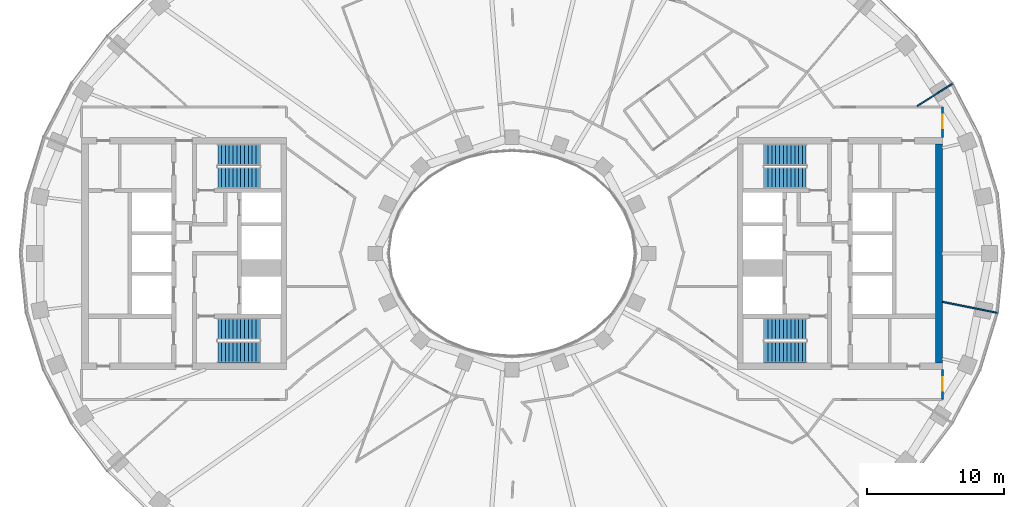
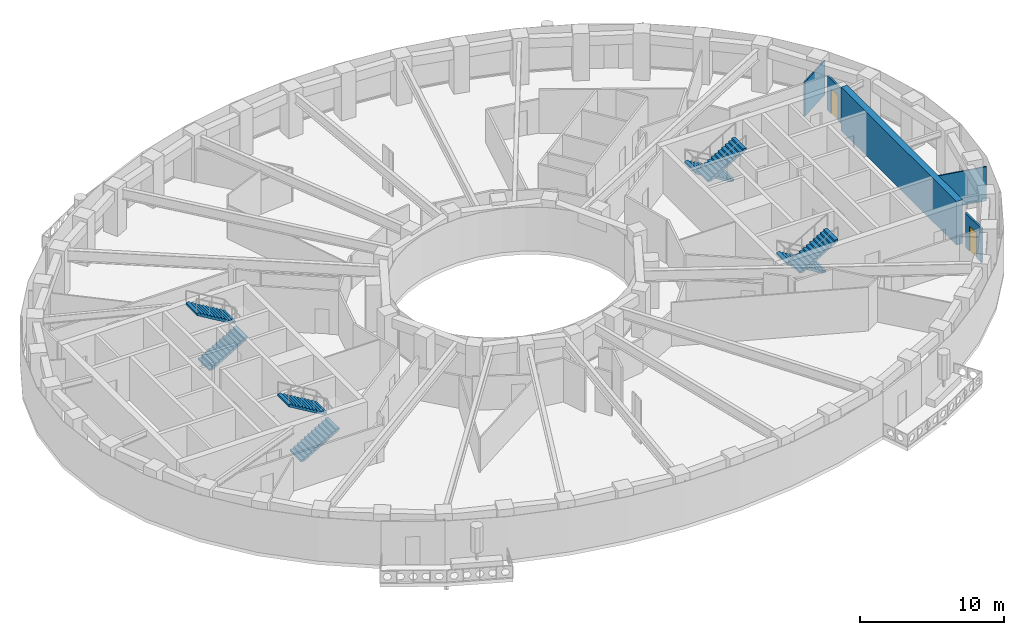
# One storey, part 7 of 15: 8 stair flights, 5 walls, 2 doors, 2 openings, 4 elements without a shape of their own.
"""IFC4 building model written with IfcOpenShell, lengths in metres."""

from ifc_helpers import new_model, si_unit, direction, frame, frame_2d, origin, place, context, subcontext, project, spatial, polyline, rectangle, outline, extrude, material, layer, layer_set, type_object, element, fill, aggregate, save


model = new_model("IFC4")

# Units and contexts
model_context = context("Model", 3, precision=1e-05, world=origin(), true_north=direction((0.0, 1.0)))
body_context = subcontext(model_context, "Body", "Model", "MODEL_VIEW")
ifc_project = project(units=[si_unit("LENGTHUNIT", "METRE"), si_unit("AREAUNIT", "SQUARE_METRE"), si_unit("VOLUMEUNIT", "CUBIC_METRE"), si_unit("PLANEANGLEUNIT", "RADIAN"), si_unit("MASSUNIT", "GRAM", prefix="KILO")], contexts=[model_context])

# Site, building, storey
site_placement = place(None, origin())
site = spatial("IfcSite", under=ifc_project, at=site_placement, CompositionType="ELEMENT")
building_placement = place(site_placement, origin())
building = spatial("IfcBuilding", under=site, at=building_placement, Name="Noorbagh Ring Tower", CompositionType="ELEMENT")
storey_placement = place(building_placement, frame((0.0, 0.0, 194.0)))
storey = spatial("IfcBuildingStorey", under=building, at=storey_placement, Name="L45", CompositionType="ELEMENT", Elevation=194.0)

# Wall
ifc_material_1 = material(Name="Concrete C60/75", Category="concrete")
ifc_layer_1 = layer(ifc_material_1, 0.5)
ifc_layer_set_1 = layer_set([ifc_layer_1], Name="Concrete C60/75")
wall_type_1 = type_object("IfcWallType", Name="CORE-WALL-500-C60-75-EI240", PredefinedType="SHEAR", material=ifc_layer_set_1)
wall_1_placement = place(storey_placement, frame((31.25, -8.0, 0.0), z_axis=(0.0, 0.0, 1.0), x_axis=(0.0, 1.0, 0.0)))
element("IfcWall", 1, at=wall_1_placement, inside=storey, type_object=wall_type_1, Name="Core wall E", PredefinedType="SHEAR", context=body_context, shape_type="SweptSolid", body=[
    extrude(rectangle(XDim=16.0, YDim=0.5, at=frame_2d((8.0, 0.0))), origin(), (0.0, 0.0, 1.0), 3.699951171875),
])

# Wall, opening, door
ifc_material_2 = material(Name="Gypsum board on steel studs", Category="steel")
ifc_layer_2 = layer(ifc_material_2, 0.14990234375)
ifc_layer_set_2 = layer_set([ifc_layer_2], Name="Gypsum board on steel studs")
wall_type_2 = type_object("IfcWallType", Name="CORRIDOR PARTITION 150 EI 30", PredefinedType="PARTITIONING", material=ifc_layer_set_2)
wall_2_placement = place(storey_placement, frame((31.5, -10.699951171875, 0.0), z_axis=(0.0, 0.0, 1.0), x_axis=(0.0, 1.0, 0.0)))
wall_2 = element("IfcWall", 2, at=wall_2_placement, inside=storey, type_object=wall_type_2, Name="L45/wall/P79", PredefinedType="PARTITIONING", context=body_context, shape_type="SweptSolid", body=[
    extrude(rectangle(XDim=2.199951171875, YDim=0.14990234375, at=frame_2d((1.10009765625, 0.0))), origin(), (0.0, 0.0, 1.0), 2.89990234375),
])
opening_1_placement = place(wall_2_placement, frame((0.64990234375, 0.0, 0.0)))
opening_1 = element("IfcOpeningElement", 3, at=opening_1_placement, cuts=wall_2, Name="Opening D1", PredefinedType="OPENING", context=body_context, shape_type="SweptSolid", body=[
    extrude(rectangle(XDim=1.0, YDim=2.10009765625, at=frame_2d((0.5, 1.050048828125))), frame((0.0, 0.0849609375, 0.0), z_axis=(0.0, -1.0, 0.0), x_axis=(1.0, 0.0, 0.0)), (0.0, 0.0, 1.0), 0.169921875),
])
ifc_material_3 = material(Name="Timber, painted", Category="wood")
door_type = type_object("IfcDoorType", Name="DOOR 1000 X 2100 FD30", OperationType="SINGLE_SWING_LEFT", PredefinedType="DOOR", material=ifc_material_3)
door_1_placement = place(opening_1_placement, origin())
door_1 = element("IfcDoor", 4, at=door_1_placement, inside=storey, type_object=door_type, Name="L45-D15", OperationType="SINGLE_SWING_LEFT", OverallHeight=2.10009765625, OverallWidth=1.0, PredefinedType="DOOR", context=body_context, shape_type="SweptSolid", body=[
    extrude(rectangle(XDim=1.0, YDim=2.10009765625, at=frame_2d((0.5, 1.050048828125))), frame((0.0, 0.02490234375, 0.0), z_axis=(0.0, -1.0, 0.0), x_axis=(1.0, 0.0, 0.0)), (0.0, 0.0, 1.0), 0.050048828125),
])
fill(opening_1, door_1)

wall_3_placement = place(storey_placement, frame((31.5, 8.5, 0.0), z_axis=(0.0, 0.0, 1.0), x_axis=(0.0, 1.0, 0.0)))
wall_3 = element("IfcWall", 5, at=wall_3_placement, inside=storey, type_object=wall_type_2, Name="L45/wall/P81", PredefinedType="PARTITIONING", context=body_context, shape_type="SweptSolid", body=[
    extrude(rectangle(XDim=2.199951171875, YDim=0.14990234375, at=frame_2d((1.10009765625, 0.0))), origin(), (0.0, 0.0, 1.0), 2.89990234375),
])
opening_2_placement = place(wall_3_placement, frame((0.64990234375, 0.0, 0.0)))
opening_2 = element("IfcOpeningElement", 6, at=opening_2_placement, cuts=wall_3, Name="Opening D1", PredefinedType="OPENING", context=body_context, shape_type="SweptSolid", body=[
    extrude(rectangle(XDim=1.0, YDim=2.10009765625, at=frame_2d((0.5, 1.050048828125))), frame((0.0, 0.0849609375, 0.0), z_axis=(0.0, -1.0, 0.0), x_axis=(1.0, 0.0, 0.0)), (0.0, 0.0, 1.0), 0.169921875),
])
door_2_placement = place(opening_2_placement, origin())
door_2 = element("IfcDoor", 7, at=door_2_placement, inside=storey, type_object=door_type, Name="L45-D16", OperationType="SINGLE_SWING_RIGHT", OverallHeight=2.10009765625, OverallWidth=1.0, PredefinedType="DOOR", context=body_context, shape_type="SweptSolid", body=[
    extrude(rectangle(XDim=1.0, YDim=2.10009765625, at=frame_2d((0.5, 1.050048828125))), frame((0.0, 0.02490234375, 0.0), z_axis=(0.0, -1.0, 0.0), x_axis=(1.0, 0.0, 0.0)), (0.0, 0.0, 1.0), 0.050048828125),
])
fill(opening_2, door_2)

# Walls
ifc_material_4 = material(Name="Gypsum board on steel studs", Category="steel")
ifc_layer_3 = layer(ifc_material_4, 0.10009765625)
ifc_layer_set_3 = layer_set([ifc_layer_3], Name="Gypsum board on steel studs")
wall_type_3 = type_object("IfcWallType", Name="PARTITION 100 GYPSUM", PredefinedType="PARTITIONING", material=ifc_layer_set_3)
wall_4_placement = place(storey_placement, frame((29.636962890625, 10.777099609375, 0.0), z_axis=(0.0, 0.0, 1.0), x_axis=(0.844810627195, 0.535065420467, 0.0)))
element("IfcWall", 8, at=wall_4_placement, inside=storey, type_object=wall_type_3, Name="L45/wall/P78", PredefinedType="PARTITIONING", context=body_context, shape_type="SweptSolid", body=[
    extrude(rectangle(XDim=3.0478515625, YDim=0.10009765625, at=frame_2d((1.52392578125, 0.0))), origin(), (0.0, 0.0, 1.0), 2.89990234375),
])
wall_5_placement = place(storey_placement, frame((31.5, -3.5419921875, 0.0), z_axis=(0.0, 0.0, 1.0), x_axis=(0.980357474535, -0.197228857227, 0.0)))
element("IfcWall", 9, at=wall_5_placement, inside=storey, type_object=wall_type_3, Name="L45/wall/P80", PredefinedType="PARTITIONING", context=body_context, shape_type="SweptSolid", body=[
    extrude(rectangle(XDim=4.09228515625, YDim=0.10009765625, at=frame_2d((2.046142578125, 0.0))), origin(), (0.0, 0.0, 1.0), 2.89990234375),
])

# Stair, stair flights
ifc_material_5 = material(Name="Concrete C40/50", Category="concrete")
stair_type = type_object("IfcStairType", Name="CORE-STAIR", PredefinedType="HALF_TURN_STAIR", material=ifc_material_5)
stair_1_placement = place(storey_placement, origin())
stair_1 = element("IfcStair", 10, at=stair_1_placement, inside=storey, type_object=stair_type, Name="L45 Exit stair ST1", PredefinedType="HALF_TURN_STAIR")
ifc_material_6 = material(Name="Concrete C40/50", Category="concrete")
stair_flight_type = type_object("IfcStairFlightType", Name="CORE-STAIR-FLIGHT", PredefinedType="STRAIGHT", material=ifc_material_6)
stair_flight_1_placement = place(storey_placement, frame((-21.530029296875, 5.52490234375, 0.0), z_axis=(0.0, 0.0, 1.0), x_axis=(1.0, 0.0, 0.0)))
stair_flight_1 = element("IfcStairFlight", 11, at=stair_flight_1_placement, type_object=stair_flight_type, Name="ST1 flight 1", NumberOfRisers=12, NumberOfTreads=11, PredefinedType="STRAIGHT", RiserHeight=0.166666667, TreadLength=0.28, context=body_context, shape_type="SweptSolid", body=[
    extrude(outline(polyline([(0.0, 0.0), (0.0, 0.166748046875), (0.280029296875, 0.166748046875), (0.280029296875, 0.333251953125), (0.56005859375, 0.333251953125), (0.56005859375, 0.5), (0.840087890625, 0.5), (0.840087890625, 0.666748046875), (1.1201171875, 0.666748046875), (1.1201171875, 0.833251953125), (1.39990234375, 0.833251953125), (1.39990234375, 1.0), (1.679931640625, 1.0), (1.679931640625, 1.166748046875), (1.9599609375, 1.166748046875), (1.9599609375, 1.333251953125), (2.239990234375, 1.333251953125), (2.239990234375, 1.5), (2.52001953125, 1.5), (2.52001953125, 1.666748046875), (2.800048828125, 1.666748046875), (2.800048828125, 1.833251953125), (3.080078125, 1.833251953125), (3.080078125, 2.0), (3.080078125, 1.658935546875), (0.29296875, 0.0), (0.0, 0.0)])), frame((0.0, 0.77490234375, 0.0), z_axis=(0.0, -1.0, 0.0), x_axis=(1.0, 0.0, 0.0)), (0.0, 0.0, 1.0), 1.550048828125),
])
stair_flight_2_placement = place(storey_placement, frame((-18.449951171875, 7.22509765625, 2.0), z_axis=(0.0, 0.0, 1.0), x_axis=(-1.0, 0.0, 0.0)))
stair_flight_2 = element("IfcStairFlight", 12, at=stair_flight_2_placement, type_object=stair_flight_type, Name="ST1 flight 2", NumberOfRisers=12, NumberOfTreads=11, PredefinedType="STRAIGHT", RiserHeight=0.166666667, TreadLength=0.28, context=body_context, shape_type="SweptSolid", body=[
    extrude(outline(polyline([(0.0, 0.0), (0.0, 0.166748046875), (0.280029296875, 0.166748046875), (0.280029296875, 0.333251953125), (0.56005859375, 0.333251953125), (0.56005859375, 0.5), (0.840087890625, 0.5), (0.840087890625, 0.666748046875), (1.1201171875, 0.666748046875), (1.1201171875, 0.833251953125), (1.39990234375, 0.833251953125), (1.39990234375, 1.0), (1.679931640625, 1.0), (1.679931640625, 1.166748046875), (1.9599609375, 1.166748046875), (1.9599609375, 1.333251953125), (2.239990234375, 1.333251953125), (2.239990234375, 1.5), (2.52001953125, 1.5), (2.52001953125, 1.666748046875), (2.800048828125, 1.666748046875), (2.800048828125, 1.833251953125), (3.080078125, 1.833251953125), (3.080078125, 2.0), (3.080078125, 1.658935546875), (0.29296875, 0.0), (0.0, 0.0)])), frame((0.0, 0.77490234375, 0.0), z_axis=(0.0, -1.0, 0.0), x_axis=(1.0, 0.0, 0.0)), (0.0, 0.0, 1.0), 1.550048828125),
])
aggregate(stair_1, [stair_flight_1, stair_flight_2])

stair_2_placement = place(storey_placement, origin())
stair_2 = element("IfcStair", 13, at=stair_2_placement, inside=storey, type_object=stair_type, Name="L45 Exit stair ST2", PredefinedType="HALF_TURN_STAIR")
stair_flight_3_placement = place(storey_placement, frame((-21.530029296875, -7.22509765625, 0.0), z_axis=(0.0, 0.0, 1.0), x_axis=(1.0, 0.0, 0.0)))
stair_flight_3 = element("IfcStairFlight", 14, at=stair_flight_3_placement, type_object=stair_flight_type, Name="ST2 flight 1", NumberOfRisers=12, NumberOfTreads=11, PredefinedType="STRAIGHT", RiserHeight=0.166666667, TreadLength=0.28, context=body_context, shape_type="SweptSolid", body=[
    extrude(outline(polyline([(0.0, 0.0), (0.0, 0.166748046875), (0.280029296875, 0.166748046875), (0.280029296875, 0.333251953125), (0.56005859375, 0.333251953125), (0.56005859375, 0.5), (0.840087890625, 0.5), (0.840087890625, 0.666748046875), (1.1201171875, 0.666748046875), (1.1201171875, 0.833251953125), (1.39990234375, 0.833251953125), (1.39990234375, 1.0), (1.679931640625, 1.0), (1.679931640625, 1.166748046875), (1.9599609375, 1.166748046875), (1.9599609375, 1.333251953125), (2.239990234375, 1.333251953125), (2.239990234375, 1.5), (2.52001953125, 1.5), (2.52001953125, 1.666748046875), (2.800048828125, 1.666748046875), (2.800048828125, 1.833251953125), (3.080078125, 1.833251953125), (3.080078125, 2.0), (3.080078125, 1.658935546875), (0.29296875, 0.0), (0.0, 0.0)])), frame((0.0, 0.77490234375, 0.0), z_axis=(0.0, -1.0, 0.0), x_axis=(1.0, 0.0, 0.0)), (0.0, 0.0, 1.0), 1.550048828125),
])
stair_flight_4_placement = place(storey_placement, frame((-18.449951171875, -5.52490234375, 2.0), z_axis=(0.0, 0.0, 1.0), x_axis=(-1.0, 0.0, 0.0)))
stair_flight_4 = element("IfcStairFlight", 15, at=stair_flight_4_placement, type_object=stair_flight_type, Name="ST2 flight 2", NumberOfRisers=12, NumberOfTreads=11, PredefinedType="STRAIGHT", RiserHeight=0.166666667, TreadLength=0.28, context=body_context, shape_type="SweptSolid", body=[
    extrude(outline(polyline([(0.0, 0.0), (0.0, 0.166748046875), (0.280029296875, 0.166748046875), (0.280029296875, 0.333251953125), (0.56005859375, 0.333251953125), (0.56005859375, 0.5), (0.840087890625, 0.5), (0.840087890625, 0.666748046875), (1.1201171875, 0.666748046875), (1.1201171875, 0.833251953125), (1.39990234375, 0.833251953125), (1.39990234375, 1.0), (1.679931640625, 1.0), (1.679931640625, 1.166748046875), (1.9599609375, 1.166748046875), (1.9599609375, 1.333251953125), (2.239990234375, 1.333251953125), (2.239990234375, 1.5), (2.52001953125, 1.5), (2.52001953125, 1.666748046875), (2.800048828125, 1.666748046875), (2.800048828125, 1.833251953125), (3.080078125, 1.833251953125), (3.080078125, 2.0), (3.080078125, 1.658935546875), (0.29296875, 0.0), (0.0, 0.0)])), frame((0.0, 0.77490234375, 0.0), z_axis=(0.0, -1.0, 0.0), x_axis=(1.0, 0.0, 0.0)), (0.0, 0.0, 1.0), 1.550048828125),
])
aggregate(stair_2, [stair_flight_3, stair_flight_4])

stair_3_placement = place(storey_placement, origin())
stair_3 = element("IfcStair", 16, at=stair_3_placement, inside=storey, type_object=stair_type, Name="L45 Exit stair ST3", PredefinedType="HALF_TURN_STAIR")
stair_flight_5_placement = place(storey_placement, frame((21.530029296875, 7.22509765625, 0.0), z_axis=(0.0, 0.0, 1.0), x_axis=(-1.0, 0.0, 0.0)))
stair_flight_5 = element("IfcStairFlight", 17, at=stair_flight_5_placement, type_object=stair_flight_type, Name="ST3 flight 1", NumberOfRisers=12, NumberOfTreads=11, PredefinedType="STRAIGHT", RiserHeight=0.166666667, TreadLength=0.28, context=body_context, shape_type="SweptSolid", body=[
    extrude(outline(polyline([(0.0, 0.0), (0.0, 0.166748046875), (0.280029296875, 0.166748046875), (0.280029296875, 0.333251953125), (0.56005859375, 0.333251953125), (0.56005859375, 0.5), (0.840087890625, 0.5), (0.840087890625, 0.666748046875), (1.1201171875, 0.666748046875), (1.1201171875, 0.833251953125), (1.39990234375, 0.833251953125), (1.39990234375, 1.0), (1.679931640625, 1.0), (1.679931640625, 1.166748046875), (1.9599609375, 1.166748046875), (1.9599609375, 1.333251953125), (2.239990234375, 1.333251953125), (2.239990234375, 1.5), (2.52001953125, 1.5), (2.52001953125, 1.666748046875), (2.800048828125, 1.666748046875), (2.800048828125, 1.833251953125), (3.080078125, 1.833251953125), (3.080078125, 2.0), (3.080078125, 1.658935546875), (0.29296875, 0.0), (0.0, 0.0)])), frame((0.0, 0.77490234375, 0.0), z_axis=(0.0, -1.0, 0.0), x_axis=(1.0, 0.0, 0.0)), (0.0, 0.0, 1.0), 1.550048828125),
])
stair_flight_6_placement = place(storey_placement, frame((18.449951171875, 5.52490234375, 2.0), z_axis=(0.0, 0.0, 1.0), x_axis=(1.0, 0.0, 0.0)))
stair_flight_6 = element("IfcStairFlight", 18, at=stair_flight_6_placement, type_object=stair_flight_type, Name="ST3 flight 2", NumberOfRisers=12, NumberOfTreads=11, PredefinedType="STRAIGHT", RiserHeight=0.166666667, TreadLength=0.28, context=body_context, shape_type="SweptSolid", body=[
    extrude(outline(polyline([(0.0, 0.0), (0.0, 0.166748046875), (0.280029296875, 0.166748046875), (0.280029296875, 0.333251953125), (0.56005859375, 0.333251953125), (0.56005859375, 0.5), (0.840087890625, 0.5), (0.840087890625, 0.666748046875), (1.1201171875, 0.666748046875), (1.1201171875, 0.833251953125), (1.39990234375, 0.833251953125), (1.39990234375, 1.0), (1.679931640625, 1.0), (1.679931640625, 1.166748046875), (1.9599609375, 1.166748046875), (1.9599609375, 1.333251953125), (2.239990234375, 1.333251953125), (2.239990234375, 1.5), (2.52001953125, 1.5), (2.52001953125, 1.666748046875), (2.800048828125, 1.666748046875), (2.800048828125, 1.833251953125), (3.080078125, 1.833251953125), (3.080078125, 2.0), (3.080078125, 1.658935546875), (0.29296875, 0.0), (0.0, 0.0)])), frame((0.0, 0.77490234375, 0.0), z_axis=(0.0, -1.0, 0.0), x_axis=(1.0, 0.0, 0.0)), (0.0, 0.0, 1.0), 1.550048828125),
])
aggregate(stair_3, [stair_flight_5, stair_flight_6])

stair_4_placement = place(storey_placement, origin())
stair_4 = element("IfcStair", 19, at=stair_4_placement, inside=storey, type_object=stair_type, Name="L45 Exit stair ST4", PredefinedType="HALF_TURN_STAIR")
stair_flight_7_placement = place(storey_placement, frame((21.530029296875, -5.52490234375, 0.0), z_axis=(0.0, 0.0, 1.0), x_axis=(-1.0, 0.0, 0.0)))
stair_flight_7 = element("IfcStairFlight", 20, at=stair_flight_7_placement, type_object=stair_flight_type, Name="ST4 flight 1", NumberOfRisers=12, NumberOfTreads=11, PredefinedType="STRAIGHT", RiserHeight=0.166666667, TreadLength=0.28, context=body_context, shape_type="SweptSolid", body=[
    extrude(outline(polyline([(0.0, 0.0), (0.0, 0.166748046875), (0.280029296875, 0.166748046875), (0.280029296875, 0.333251953125), (0.56005859375, 0.333251953125), (0.56005859375, 0.5), (0.840087890625, 0.5), (0.840087890625, 0.666748046875), (1.1201171875, 0.666748046875), (1.1201171875, 0.833251953125), (1.39990234375, 0.833251953125), (1.39990234375, 1.0), (1.679931640625, 1.0), (1.679931640625, 1.166748046875), (1.9599609375, 1.166748046875), (1.9599609375, 1.333251953125), (2.239990234375, 1.333251953125), (2.239990234375, 1.5), (2.52001953125, 1.5), (2.52001953125, 1.666748046875), (2.800048828125, 1.666748046875), (2.800048828125, 1.833251953125), (3.080078125, 1.833251953125), (3.080078125, 2.0), (3.080078125, 1.658935546875), (0.29296875, 0.0), (0.0, 0.0)])), frame((0.0, 0.77490234375, 0.0), z_axis=(0.0, -1.0, 0.0), x_axis=(1.0, 0.0, 0.0)), (0.0, 0.0, 1.0), 1.550048828125),
])
stair_flight_8_placement = place(storey_placement, frame((18.449951171875, -7.22509765625, 2.0), z_axis=(0.0, 0.0, 1.0), x_axis=(1.0, 0.0, 0.0)))
stair_flight_8 = element("IfcStairFlight", 21, at=stair_flight_8_placement, type_object=stair_flight_type, Name="ST4 flight 2", NumberOfRisers=12, NumberOfTreads=11, PredefinedType="STRAIGHT", RiserHeight=0.166666667, TreadLength=0.28, context=body_context, shape_type="SweptSolid", body=[
    extrude(outline(polyline([(0.0, 0.0), (0.0, 0.166748046875), (0.280029296875, 0.166748046875), (0.280029296875, 0.333251953125), (0.56005859375, 0.333251953125), (0.56005859375, 0.5), (0.840087890625, 0.5), (0.840087890625, 0.666748046875), (1.1201171875, 0.666748046875), (1.1201171875, 0.833251953125), (1.39990234375, 0.833251953125), (1.39990234375, 1.0), (1.679931640625, 1.0), (1.679931640625, 1.166748046875), (1.9599609375, 1.166748046875), (1.9599609375, 1.333251953125), (2.239990234375, 1.333251953125), (2.239990234375, 1.5), (2.52001953125, 1.5), (2.52001953125, 1.666748046875), (2.800048828125, 1.666748046875), (2.800048828125, 1.833251953125), (3.080078125, 1.833251953125), (3.080078125, 2.0), (3.080078125, 1.658935546875), (0.29296875, 0.0), (0.0, 0.0)])), frame((0.0, 0.77490234375, 0.0), z_axis=(0.0, -1.0, 0.0), x_axis=(1.0, 0.0, 0.0)), (0.0, 0.0, 1.0), 1.550048828125),
])
aggregate(stair_4, [stair_flight_7, stair_flight_8])

save(model, "model.ifc")
